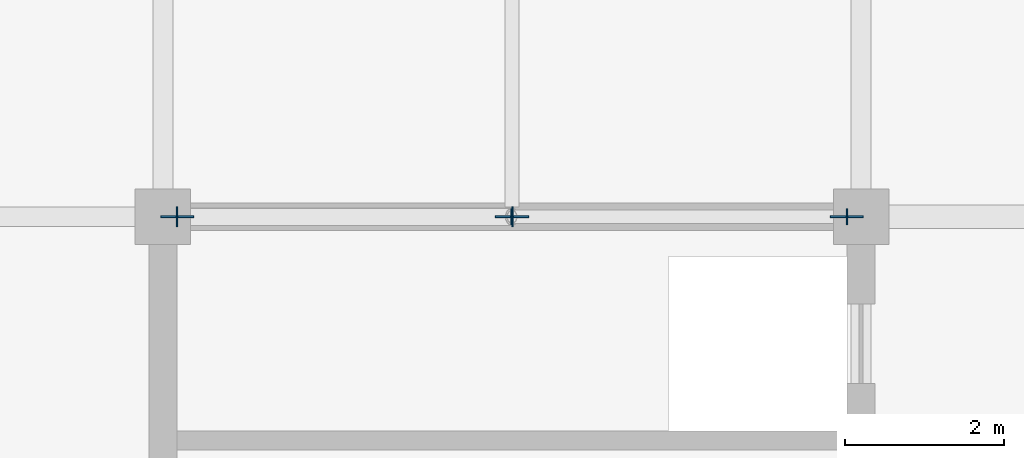
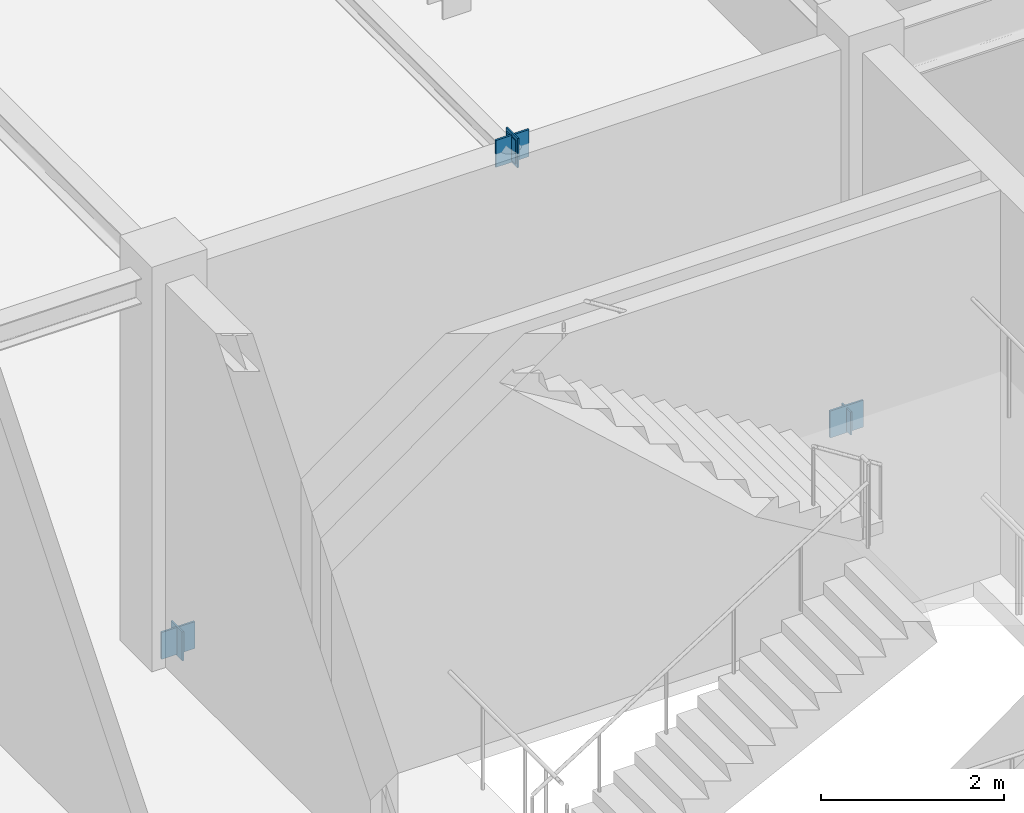
# One storey, part 79 of 108: 7 plates.
"""IFC4 building model written with IfcOpenShell, lengths in metres."""

from ifc_helpers import new_model, si_unit, direction, frame, origin, origin_2d, place, context, subcontext, project, spatial, rectangle, extrude, material, layer, layer_set, type_object, element, save


model = new_model("IFC4")

# Units and contexts
model_context = context("Model", 3, precision=1e-05, world=origin(), true_north=direction((0.0, 1.0)))
body_context = subcontext(model_context, "Body", "Model", "MODEL_VIEW")
ifc_project = project(units=[si_unit("LENGTHUNIT", "METRE"), si_unit("AREAUNIT", "SQUARE_METRE"), si_unit("VOLUMEUNIT", "CUBIC_METRE"), si_unit("PLANEANGLEUNIT", "RADIAN"), si_unit("MASSUNIT", "GRAM", prefix="KILO")], contexts=[model_context])

# Site, building, storey
site_placement = place(None, origin())
site = spatial("IfcSite", under=ifc_project, at=site_placement, CompositionType="ELEMENT")
building_placement = place(site_placement, origin())
building = spatial("IfcBuilding", under=site, at=building_placement, Name="Zhaolan Boulevard Law Courts", CompositionType="ELEMENT")
storey_placement = place(building_placement, frame((0.0, 0.0, 10.800048828125)))
storey = spatial("IfcBuildingStorey", under=building, at=storey_placement, Name="L02", CompositionType="ELEMENT", Elevation=10.800048828125)

# Plates
ifc_material_1 = material(Name="Structural steel Q355B", Category="steel")
ifc_layer_1 = layer(ifc_material_1, 0.02392578125)
ifc_layer_set_1 = layer_set([ifc_layer_1])
plate_type_1 = type_object("IfcPlateType", Name="BRACE GUSSET PLATE 24", PredefinedType="SHEET", material=ifc_layer_set_1)
for number, where, z_axis, x_axis, name in (
    (1, (17.780029296875, 94.0, -0.14990234375), (0.0, 0.0, 1.0), (1.0, 0.0, 0.0), "Brace Gusset Connection Plate GP-L1-L02-NA1"),
    (2, (26.219970703125, 94.0, -0.14990234375), (0.0, 0.0, 1.0), (1.0, 0.0, 0.0), "Brace Gusset Connection Plate GP-L1-L02-NA2"),
    (3, (22.0, 94.0, 4.93994140625), (0.0, 0.0, 1.0), (1.0, 0.0, 0.0), "Brace Gusset Connection Plate GP-L1-L02-NAPX"),
):
    element("IfcPlate", number, at=place(storey_placement, frame(where, z_axis=z_axis, x_axis=x_axis)), inside=storey, type_object=plate_type_1, Name=name, PredefinedType="SHEET", context=body_context, shape_type="SweptSolid", body=[
        extrude(rectangle(XDim=0.419921875, YDim=0.02392578125, at=origin_2d()), origin(), (0.0, 0.0, 1.0), 0.360107421875),
    ])
ifc_material_2 = material(Name="Structural steel Q355B", Category="steel")
ifc_layer_2 = layer(ifc_material_2, 0.02001953125)
ifc_layer_set_2 = layer_set([ifc_layer_2])
plate_type_2 = type_object("IfcPlateType", Name="END CAP PLATE 20", PredefinedType="SHEET", material=ifc_layer_set_2)
for number, where, z_axis, x_axis, name in (
    (4, (17.77490234375, 94.0, -0.17138671875), (0.0, 0.0, 1.0), (1.0, 0.0, 0.0), "Hollow Section End-Cap Plate ECP-1359"),
    (5, (22.005126953125, 94.0, 4.93115234375), (0.0, 0.0, 1.0), (1.0, 0.0, 0.0), "Hollow Section End-Cap Plate ECP-1360"),
):
    element("IfcPlate", number, at=place(storey_placement, frame(where, z_axis=z_axis, x_axis=x_axis)), inside=storey, type_object=plate_type_2, Name=name, PredefinedType="SHEET", context=body_context, shape_type="SweptSolid", body=[
        extrude(rectangle(XDim=0.02001953125, YDim=0.2490234375, at=origin_2d()), origin(), (0.0, 0.0, 1.0), 0.389892578125),
    ])
for number, where, z_axis, x_axis, name in (
    (6, (26.22509765625, 94.0, -0.13134765625), (0.0, 0.0, 1.0), (-1.0, 0.0, 0.0), "Hollow Section End-Cap Plate ECP-1361"),
    (7, (21.994873046875, 94.0, 4.97119140625), (0.0, 0.0, 1.0), (-1.0, 0.0, 0.0), "Hollow Section End-Cap Plate ECP-1362"),
):
    element("IfcPlate", number, at=place(storey_placement, frame(where, z_axis=z_axis, x_axis=x_axis)), inside=storey, type_object=plate_type_2, Name=name, PredefinedType="SHEET", context=body_context, shape_type="SweptSolid", body=[
        extrude(rectangle(XDim=0.02001953125, YDim=0.197998046875, at=origin_2d()), origin(), (0.0, 0.0, 1.0), 0.31005859375),
    ])

save(model, "model.ifc")
